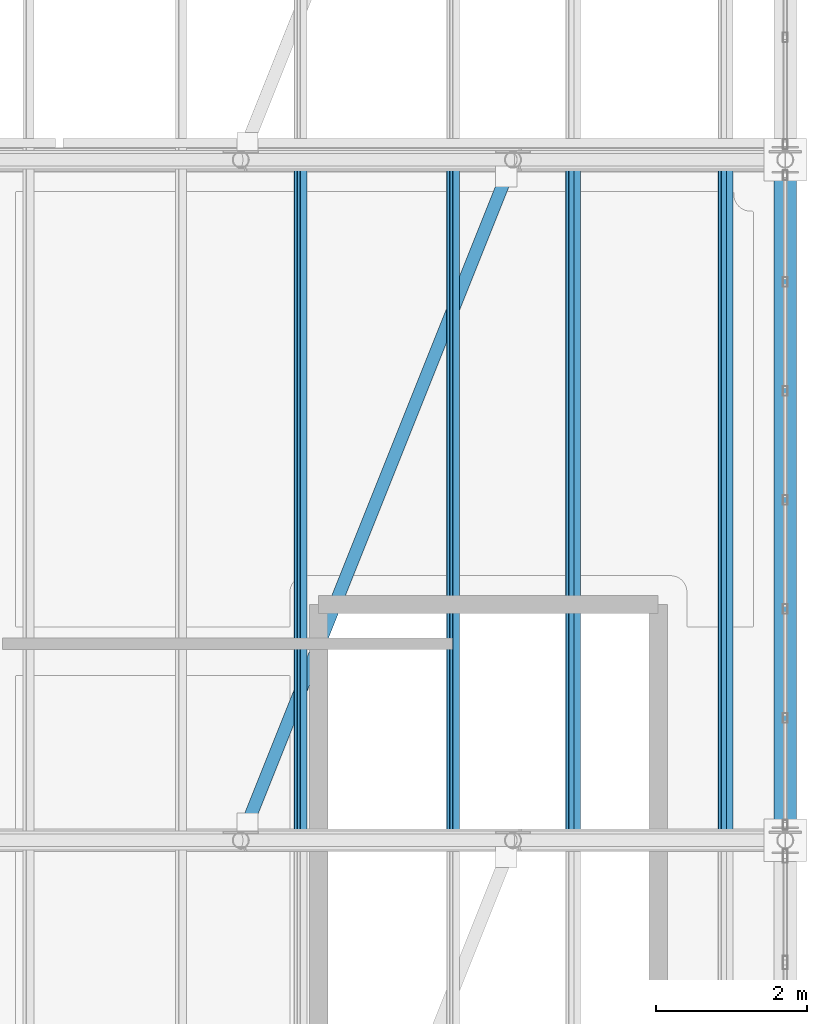
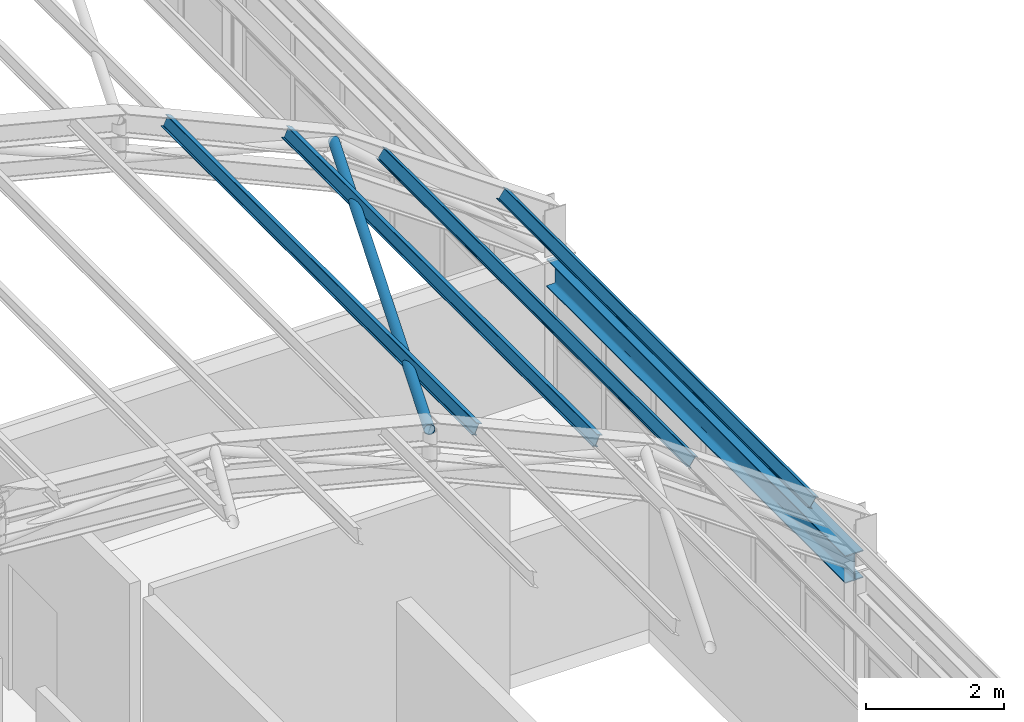
# One storey, part 37 of 121: 5 members, 1 beam.
"""IFC4 building model written with IfcOpenShell, lengths in metres."""

from ifc_helpers import new_model, si_unit, direction, frame, origin, origin_2d, place, context, subcontext, project, spatial, hollow_circle, i_section, extrude, material, material_profile, profile_set, type_object, element, save


model = new_model("IFC4")

# Units and contexts
model_context = context("Model", 3, precision=1e-05, world=origin(), true_north=direction((0.0, 1.0)))
body_context = subcontext(model_context, "Body", "Model", "MODEL_VIEW")
ifc_project = project(units=[si_unit("LENGTHUNIT", "METRE"), si_unit("AREAUNIT", "SQUARE_METRE"), si_unit("VOLUMEUNIT", "CUBIC_METRE"), si_unit("PLANEANGLEUNIT", "RADIAN"), si_unit("MASSUNIT", "GRAM", prefix="KILO")], contexts=[model_context])

# Site, building, storey
site_placement = place(None, origin())
site = spatial("IfcSite", under=ifc_project, at=site_placement, CompositionType="ELEMENT")
building_placement = place(site_placement, origin())
building = spatial("IfcBuilding", under=site, at=building_placement, Name="Canglan Escarpment Cableway Terminal", CompositionType="ELEMENT")
storey_placement = place(building_placement, frame((0.0, 0.0, 24.60009765625)))
storey = spatial("IfcBuildingStorey", under=building, at=storey_placement, Name="L05", CompositionType="ELEMENT", Elevation=24.60009765625)

# Beam
ifc_material = material(Name="Steel Q355B", Category="steel")
ifc_material_profile_1 = material_profile(ifc_material, i_section(OverallWidth=0.300048828125, OverallDepth=0.488037109375, WebThickness=0.010986328125, FlangeThickness=0.01806640625, FilletRadius=0.02587890625, at=origin_2d()), Name="HM 488x300x11x18")
ifc_profile_set_1 = profile_set([ifc_material_profile_1], Name="Steel Q355B")
beam_type = type_object("IfcBeamType", Name="BM-HM488", PredefinedType="BEAM", material=ifc_profile_set_1)
beam_placement = place(storey_placement, frame((166.39990234375, 43.175048828125, 2.1884765625), z_axis=(0.0, 1.0, 0.0), x_axis=(-1.0, 0.0, 0.0)))
element("IfcBeam", 1, at=beam_placement, inside=storey, type_object=beam_type, Name="Vault springing ring girder B-09", PredefinedType="BEAM", context=body_context, shape_type="SweptSolid", body=[
    extrude(i_section(OverallWidth=0.300048828125, OverallDepth=0.488037109375, WebThickness=0.010986328125, FlangeThickness=0.01806640625, FilletRadius=0.02587890625, at=origin_2d()), origin(), (0.0, 0.0, 1.0), 8.64990234375),
])

# Members
ifc_material_profile_2 = material_profile(ifc_material, hollow_circle(Radius=0.084228515625, WallThickness=0.006103515625, at=origin_2d()), Name="CHS 168.3x6")
ifc_profile_set_2 = profile_set([ifc_material_profile_2], Name="Steel Q355B")
member_type_1 = type_object("IfcMemberType", Name="MB-ROOF-BR-CHS168", PredefinedType="BRACE", material=ifc_profile_set_2)
member_placement = place(storey_placement, frame((159.199951171875, 43.0, 7.23828125), z_axis=(0.366307573698, 0.915744093096, -0.165019748547), x_axis=(-0.928473216852, 0.37139936132, 0.0)))
element("IfcMember", 2, at=member_placement, inside=storey, type_object=member_type_1, Name="Vault roof plane wind brace BR-03", PredefinedType="BRACE", context=body_context, shape_type="SweptSolid", body=[
    extrude(hollow_circle(Radius=0.084228515625, WallThickness=0.006103515625, at=origin_2d()), origin(), (0.0, 0.0, 1.0), 9.828125),
])
ifc_material_profile_3 = material_profile(ifc_material, i_section(OverallWidth=0.10009765625, OverallDepth=0.199951171875, WebThickness=0.005615234375, FlangeThickness=0.008056640625, FilletRadius=0.010986328125, at=origin_2d()), Name="HN 200x100x5.5x8")
ifc_profile_set_3 = profile_set([ifc_material_profile_3], Name="Steel Q355B")
member_type_2 = type_object("IfcMemberType", Name="MB-VAULT-PUR-HN200", PredefinedType="PURLIN", material=ifc_profile_set_3)
for number, where, z_axis, x_axis, name in (
    (3, (159.991943359375, 43.0, 6.968017578125), (0.0, 1.0, 0.0), (-0.911740537138, 0.0, 0.410766591799), "Barrel-vault roof purlin PR-01"),
    (4, (162.008056640625, 43.0, 6.059814453125), (0.0, 1.0, 0.0), (-0.911740537138, 0.0, 0.410766591799), "Barrel-vault roof purlin PR-01"),
    (5, (163.592041015625, 43.0, 5.1318359375), (0.0, 1.0, 0.0), (-0.817727996784, 0.0, 0.575604832568), "Barrel-vault roof purlin PR-01"),
    (6, (165.60791015625, 43.0, 3.712890625), (0.0, 1.0, 0.0), (-0.817727996784, 0.0, 0.575604832568), "Barrel-vault roof purlin PR-01"),
):
    element("IfcMember", number, at=place(storey_placement, frame(where, z_axis=z_axis, x_axis=x_axis)), inside=storey, type_object=member_type_2, Name=name, PredefinedType="PURLIN", context=body_context, shape_type="SweptSolid", body=[
        extrude(i_section(OverallWidth=0.10009765625, OverallDepth=0.199951171875, WebThickness=0.005615234375, FlangeThickness=0.008056640625, FilletRadius=0.010986328125, at=origin_2d()), origin(), (0.0, 0.0, 1.0), 9.0),
    ])

save(model, "model.ifc")
